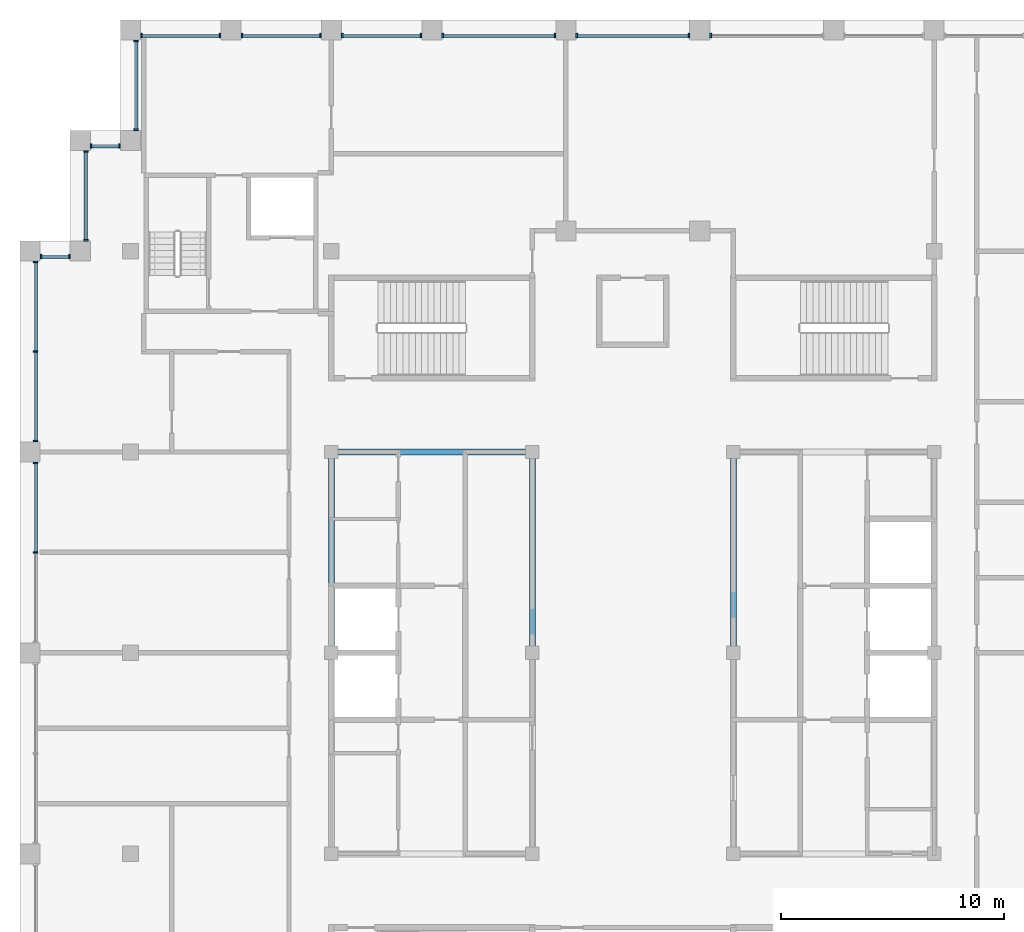
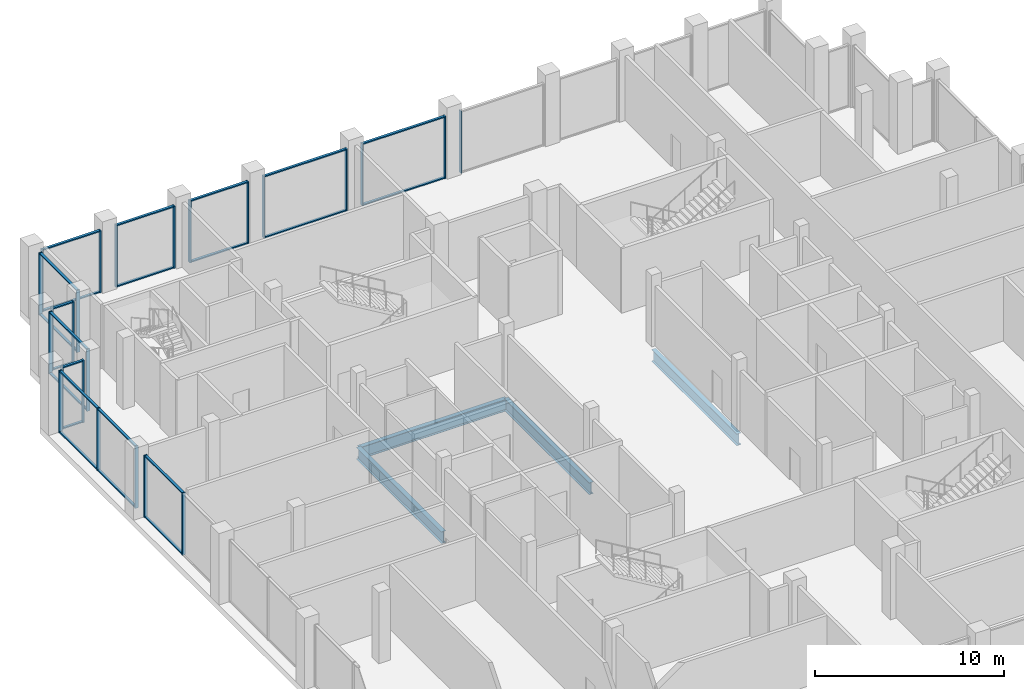
# One storey, part 4 of 12: 48 members, 4 beams, 12 elements without a shape of their own.
"""IFC4 building model written with IfcOpenShell, lengths in metres."""

from ifc_helpers import new_model, si_unit, direction, frame, origin, origin_2d, place, context, subcontext, project, spatial, rectangle, i_section, extrude, material, layer, layer_set, material_profile, profile_set, type_object, element, aggregate, save


model = new_model("IFC4")

# Units and contexts
model_context = context("Model", 3, precision=1e-05, world=origin(), true_north=direction((0.0, 1.0)))
body_context = subcontext(model_context, "Body", "Model", "MODEL_VIEW")
ifc_project = project(units=[si_unit("LENGTHUNIT", "METRE"), si_unit("AREAUNIT", "SQUARE_METRE"), si_unit("VOLUMEUNIT", "CUBIC_METRE"), si_unit("PLANEANGLEUNIT", "RADIAN"), si_unit("MASSUNIT", "GRAM", prefix="KILO")], contexts=[model_context])

# Site, building, storey
site_placement = place(None, origin())
site = spatial("IfcSite", under=ifc_project, at=site_placement, CompositionType="ELEMENT")
building_placement = place(site_placement, origin())
building = spatial("IfcBuilding", under=site, at=building_placement, Name="Corbelhall Arena Tower", CompositionType="ELEMENT")
storey_placement = place(building_placement, frame((0.0, 0.0, 356.0)))
storey = spatial("IfcBuildingStorey", under=building, at=storey_placement, Name="L78", CompositionType="ELEMENT", Elevation=356.0)

# Curtain wall, members
ifc_material_1 = material(Name="Aluminium black anodised", Category="aluminium")
ifc_layer = layer(ifc_material_1, 0.179931640625)
ifc_layer_set = layer_set([ifc_layer], Name="EV-CW3 Crown glazing")
curtain_wall_type = type_object("IfcCurtainWallType", Name="EV-CW3 Crown glazing", PredefinedType="NOTDEFINED", material=ifc_layer_set)
curtain_wall_1_placement = place(storey_placement, origin())
curtain_wall_1 = element("IfcCurtainWall", 1, at=curtain_wall_1_placement, inside=storey, type_object=curtain_wall_type, Name="Curtain wall CW3", PredefinedType="NOTDEFINED")
ifc_material_profile_1 = material_profile(ifc_material_1, rectangle(XDim=0.199951171875, YDim=0.074951171875, at=origin_2d()))
ifc_profile_set_1 = profile_set([ifc_material_profile_1], Name="Aluminium black anodised")
member_type_1 = type_object("IfcMemberType", Name="EV-CW3-MULLION", PredefinedType="MULLION", material=ifc_profile_set_1)
member_1_placement = place(storey_placement, frame((-24.5, 22.46240234375, 0.0), z_axis=(0.0, 0.0, 1.0), x_axis=(1.0, 0.0, 0.0)))
member_1 = element("IfcMember", 2, at=member_1_placement, type_object=member_type_1, Name="CW3 mullion 1", PredefinedType="MULLION", context=body_context, shape_type="SweptSolid", body=[
    extrude(rectangle(XDim=0.199951171875, YDim=0.074951171875, at=origin_2d()), origin(), (0.0, 0.0, 1.0), 3.99951171875),
])
member_2_placement = place(storey_placement, frame((-24.5, 18.487548828125, 0.0), z_axis=(0.0, 0.0, 1.0), x_axis=(1.0, 0.0, 0.0)))
member_2 = element("IfcMember", 3, at=member_2_placement, type_object=member_type_1, Name="CW3 mullion 2", PredefinedType="MULLION", context=body_context, shape_type="SweptSolid", body=[
    extrude(rectangle(XDim=0.199951171875, YDim=0.074951171875, at=origin_2d()), origin(), (0.0, 0.0, 1.0), 3.99951171875),
])

curtain_wall_2_placement = place(storey_placement, origin())
curtain_wall_2 = element("IfcCurtainWall", 4, at=curtain_wall_2_placement, inside=storey, type_object=curtain_wall_type, Name="Curtain wall CW3B", PredefinedType="NOTDEFINED")
member_3_placement = place(storey_placement, frame((-25.237548828125, 17.75, 0.0), z_axis=(0.0, 0.0, 1.0), x_axis=(0.0, -1.0, 0.0)))
member_3 = element("IfcMember", 5, at=member_3_placement, type_object=member_type_1, Name="CW3B mullion 1", PredefinedType="MULLION", context=body_context, shape_type="SweptSolid", body=[
    extrude(rectangle(XDim=0.199951171875, YDim=0.074951171875, at=origin_2d()), origin(), (0.0, 0.0, 1.0), 3.99951171875),
])
member_4_placement = place(storey_placement, frame((-26.512451171875, 17.75, 0.0), z_axis=(0.0, 0.0, 1.0), x_axis=(0.0, -1.0, 0.0)))
member_4 = element("IfcMember", 6, at=member_4_placement, type_object=member_type_1, Name="CW3B mullion 2", PredefinedType="MULLION", context=body_context, shape_type="SweptSolid", body=[
    extrude(rectangle(XDim=0.199951171875, YDim=0.074951171875, at=origin_2d()), origin(), (0.0, 0.0, 1.0), 3.99951171875),
])

curtain_wall_3_placement = place(storey_placement, origin())
curtain_wall_3 = element("IfcCurtainWall", 7, at=curtain_wall_3_placement, inside=storey, type_object=curtain_wall_type, Name="Curtain wall CW3", PredefinedType="NOTDEFINED")
member_5_placement = place(storey_placement, frame((-26.75, 17.512451171875, 0.0), z_axis=(0.0, 0.0, 1.0), x_axis=(1.0, 0.0, 0.0)))
member_5 = element("IfcMember", 8, at=member_5_placement, type_object=member_type_1, Name="CW3 mullion 1", PredefinedType="MULLION", context=body_context, shape_type="SweptSolid", body=[
    extrude(rectangle(XDim=0.199951171875, YDim=0.074951171875, at=origin_2d()), origin(), (0.0, 0.0, 1.0), 3.99951171875),
])
member_6_placement = place(storey_placement, frame((-26.75, 13.5, 0.0), z_axis=(0.0, 0.0, 1.0), x_axis=(1.0, 0.0, 0.0)))
member_6 = element("IfcMember", 9, at=member_6_placement, type_object=member_type_1, Name="CW3 mullion 2", PredefinedType="MULLION", context=body_context, shape_type="SweptSolid", body=[
    extrude(rectangle(XDim=0.199951171875, YDim=0.074951171875, at=origin_2d()), origin(), (0.0, 0.0, 1.0), 3.99951171875),
])
member_7_placement = place(storey_placement, frame((-26.75, 9.487548828125, 0.0), z_axis=(0.0, 0.0, 1.0), x_axis=(1.0, 0.0, 0.0)))
member_7 = element("IfcMember", 10, at=member_7_placement, type_object=member_type_1, Name="CW3 mullion 3", PredefinedType="MULLION", context=body_context, shape_type="SweptSolid", body=[
    extrude(rectangle(XDim=0.199951171875, YDim=0.074951171875, at=origin_2d()), origin(), (0.0, 0.0, 1.0), 3.99951171875),
])

curtain_wall_4_placement = place(storey_placement, origin())
curtain_wall_4 = element("IfcCurtainWall", 11, at=curtain_wall_4_placement, inside=storey, type_object=curtain_wall_type, Name="Curtain wall CW3", PredefinedType="NOTDEFINED")
member_8_placement = place(storey_placement, frame((-26.75, 8.512451171875, 0.0), z_axis=(0.0, 0.0, 1.0), x_axis=(1.0, 0.0, 0.0)))
member_8 = element("IfcMember", 12, at=member_8_placement, type_object=member_type_1, Name="CW3 mullion 1", PredefinedType="MULLION", context=body_context, shape_type="SweptSolid", body=[
    extrude(rectangle(XDim=0.199951171875, YDim=0.074951171875, at=origin_2d()), origin(), (0.0, 0.0, 1.0), 3.99951171875),
])
member_9_placement = place(storey_placement, frame((-26.75, 4.5, 0.0), z_axis=(0.0, 0.0, 1.0), x_axis=(1.0, 0.0, 0.0)))
member_9 = element("IfcMember", 13, at=member_9_placement, type_object=member_type_1, Name="CW3 mullion 2", PredefinedType="MULLION", context=body_context, shape_type="SweptSolid", body=[
    extrude(rectangle(XDim=0.199951171875, YDim=0.074951171875, at=origin_2d()), origin(), (0.0, 0.0, 1.0), 3.99951171875),
])

# Curtain wall, member
curtain_wall_5_placement = place(storey_placement, origin())
curtain_wall_5 = element("IfcCurtainWall", 14, at=curtain_wall_5_placement, inside=storey, type_object=curtain_wall_type, Name="Curtain wall CW3C", PredefinedType="NOTDEFINED")
member_10_placement = place(storey_placement, frame((3.487548828125, 27.64990234375, 0.0), z_axis=(0.0, 0.0, 1.0), x_axis=(0.0, -1.0, 0.0)))
member_10 = element("IfcMember", 15, at=member_10_placement, type_object=member_type_1, Name="CW3C mullion 2", PredefinedType="MULLION", context=body_context, shape_type="SweptSolid", body=[
    extrude(rectangle(XDim=0.199951171875, YDim=0.074951171875, at=origin_2d()), origin(), (0.0, 0.0, 1.0), 3.99951171875),
])
aggregate(curtain_wall_5, [member_10])

# Curtain wall, members
curtain_wall_6_placement = place(storey_placement, origin())
curtain_wall_6 = element("IfcCurtainWall", 16, at=curtain_wall_6_placement, inside=storey, type_object=curtain_wall_type, Name="Curtain wall CW3C", PredefinedType="NOTDEFINED")
member_11_placement = place(storey_placement, frame((2.512451171875, 27.64990234375, 0.0), z_axis=(0.0, 0.0, 1.0), x_axis=(0.0, -1.0, 0.0)))
member_11 = element("IfcMember", 17, at=member_11_placement, type_object=member_type_1, Name="CW3C mullion 1", PredefinedType="MULLION", context=body_context, shape_type="SweptSolid", body=[
    extrude(rectangle(XDim=0.199951171875, YDim=0.074951171875, at=origin_2d()), origin(), (0.0, 0.0, 1.0), 3.99951171875),
])
member_12_placement = place(storey_placement, frame((-2.512451171875, 27.64990234375, 0.0), z_axis=(0.0, 0.0, 1.0), x_axis=(0.0, -1.0, 0.0)))
member_12 = element("IfcMember", 18, at=member_12_placement, type_object=member_type_1, Name="CW3C mullion 2", PredefinedType="MULLION", context=body_context, shape_type="SweptSolid", body=[
    extrude(rectangle(XDim=0.199951171875, YDim=0.074951171875, at=origin_2d()), origin(), (0.0, 0.0, 1.0), 3.99951171875),
])

curtain_wall_7_placement = place(storey_placement, origin())
curtain_wall_7 = element("IfcCurtainWall", 19, at=curtain_wall_7_placement, inside=storey, type_object=curtain_wall_type, Name="Curtain wall CW3C", PredefinedType="NOTDEFINED")
member_13_placement = place(storey_placement, frame((-3.487548828125, 27.64990234375, 0.0), z_axis=(0.0, 0.0, 1.0), x_axis=(0.0, -1.0, 0.0)))
member_13 = element("IfcMember", 20, at=member_13_placement, type_object=member_type_1, Name="CW3C mullion 1", PredefinedType="MULLION", context=body_context, shape_type="SweptSolid", body=[
    extrude(rectangle(XDim=0.199951171875, YDim=0.074951171875, at=origin_2d()), origin(), (0.0, 0.0, 1.0), 3.99951171875),
])
member_14_placement = place(storey_placement, frame((-8.512451171875, 27.64990234375, 0.0), z_axis=(0.0, 0.0, 1.0), x_axis=(0.0, -1.0, 0.0)))
member_14 = element("IfcMember", 21, at=member_14_placement, type_object=member_type_1, Name="CW3C mullion 2", PredefinedType="MULLION", context=body_context, shape_type="SweptSolid", body=[
    extrude(rectangle(XDim=0.199951171875, YDim=0.074951171875, at=origin_2d()), origin(), (0.0, 0.0, 1.0), 3.99951171875),
])

curtain_wall_8_placement = place(storey_placement, origin())
curtain_wall_8 = element("IfcCurtainWall", 22, at=curtain_wall_8_placement, inside=storey, type_object=curtain_wall_type, Name="Curtain wall CW3A", PredefinedType="NOTDEFINED")
member_15_placement = place(storey_placement, frame((-9.487548828125, 27.64990234375, 0.0), z_axis=(0.0, 0.0, 1.0), x_axis=(0.0, -1.0, 0.0)))
member_15 = element("IfcMember", 23, at=member_15_placement, type_object=member_type_1, Name="CW3A mullion 1", PredefinedType="MULLION", context=body_context, shape_type="SweptSolid", body=[
    extrude(rectangle(XDim=0.199951171875, YDim=0.074951171875, at=origin_2d()), origin(), (0.0, 0.0, 1.0), 3.99951171875),
])
member_16_placement = place(storey_placement, frame((-13.012451171875, 27.64990234375, 0.0), z_axis=(0.0, 0.0, 1.0), x_axis=(0.0, -1.0, 0.0)))
member_16 = element("IfcMember", 24, at=member_16_placement, type_object=member_type_1, Name="CW3A mullion 2", PredefinedType="MULLION", context=body_context, shape_type="SweptSolid", body=[
    extrude(rectangle(XDim=0.199951171875, YDim=0.074951171875, at=origin_2d()), origin(), (0.0, 0.0, 1.0), 3.99951171875),
])

curtain_wall_9_placement = place(storey_placement, origin())
curtain_wall_9 = element("IfcCurtainWall", 25, at=curtain_wall_9_placement, inside=storey, type_object=curtain_wall_type, Name="Curtain wall CW3A", PredefinedType="NOTDEFINED")
member_17_placement = place(storey_placement, frame((-13.987548828125, 27.64990234375, 0.0), z_axis=(0.0, 0.0, 1.0), x_axis=(0.0, -1.0, 0.0)))
member_17 = element("IfcMember", 26, at=member_17_placement, type_object=member_type_1, Name="CW3A mullion 1", PredefinedType="MULLION", context=body_context, shape_type="SweptSolid", body=[
    extrude(rectangle(XDim=0.199951171875, YDim=0.074951171875, at=origin_2d()), origin(), (0.0, 0.0, 1.0), 3.99951171875),
])
member_18_placement = place(storey_placement, frame((-17.512451171875, 27.64990234375, 0.0), z_axis=(0.0, 0.0, 1.0), x_axis=(0.0, -1.0, 0.0)))
member_18 = element("IfcMember", 27, at=member_18_placement, type_object=member_type_1, Name="CW3A mullion 2", PredefinedType="MULLION", context=body_context, shape_type="SweptSolid", body=[
    extrude(rectangle(XDim=0.199951171875, YDim=0.074951171875, at=origin_2d()), origin(), (0.0, 0.0, 1.0), 3.99951171875),
])

curtain_wall_10_placement = place(storey_placement, origin())
curtain_wall_10 = element("IfcCurtainWall", 28, at=curtain_wall_10_placement, inside=storey, type_object=curtain_wall_type, Name="Curtain wall CW3A", PredefinedType="NOTDEFINED")
member_19_placement = place(storey_placement, frame((-18.487548828125, 27.64990234375, 0.0), z_axis=(0.0, 0.0, 1.0), x_axis=(0.0, -1.0, 0.0)))
member_19 = element("IfcMember", 29, at=member_19_placement, type_object=member_type_1, Name="CW3A mullion 1", PredefinedType="MULLION", context=body_context, shape_type="SweptSolid", body=[
    extrude(rectangle(XDim=0.199951171875, YDim=0.074951171875, at=origin_2d()), origin(), (0.0, 0.0, 1.0), 3.99951171875),
])
member_20_placement = place(storey_placement, frame((-22.012451171875, 27.64990234375, 0.0), z_axis=(0.0, 0.0, 1.0), x_axis=(0.0, -1.0, 0.0)))
member_20 = element("IfcMember", 30, at=member_20_placement, type_object=member_type_1, Name="CW3A mullion 2", PredefinedType="MULLION", context=body_context, shape_type="SweptSolid", body=[
    extrude(rectangle(XDim=0.199951171875, YDim=0.074951171875, at=origin_2d()), origin(), (0.0, 0.0, 1.0), 3.99951171875),
])

curtain_wall_11_placement = place(storey_placement, origin())
curtain_wall_11 = element("IfcCurtainWall", 31, at=curtain_wall_11_placement, inside=storey, type_object=curtain_wall_type, Name="Curtain wall CW3", PredefinedType="NOTDEFINED")
member_21_placement = place(storey_placement, frame((-22.25, 27.41259765625, 0.0), z_axis=(0.0, 0.0, 1.0), x_axis=(1.0, 0.0, 0.0)))
member_21 = element("IfcMember", 32, at=member_21_placement, type_object=member_type_1, Name="CW3 mullion 1", PredefinedType="MULLION", context=body_context, shape_type="SweptSolid", body=[
    extrude(rectangle(XDim=0.199951171875, YDim=0.074951171875, at=origin_2d()), origin(), (0.0, 0.0, 1.0), 3.99951171875),
])
member_22_placement = place(storey_placement, frame((-22.25, 23.4375, 0.0), z_axis=(0.0, 0.0, 1.0), x_axis=(1.0, 0.0, 0.0)))
member_22 = element("IfcMember", 33, at=member_22_placement, type_object=member_type_1, Name="CW3 mullion 2", PredefinedType="MULLION", context=body_context, shape_type="SweptSolid", body=[
    extrude(rectangle(XDim=0.199951171875, YDim=0.074951171875, at=origin_2d()), origin(), (0.0, 0.0, 1.0), 3.99951171875),
])

curtain_wall_12_placement = place(storey_placement, origin())
curtain_wall_12 = element("IfcCurtainWall", 34, at=curtain_wall_12_placement, inside=storey, type_object=curtain_wall_type, Name="Curtain wall CW3B", PredefinedType="NOTDEFINED")
member_23_placement = place(storey_placement, frame((-22.987548828125, 22.699951171875, 0.0), z_axis=(0.0, 0.0, 1.0), x_axis=(0.0, -1.0, 0.0)))
member_23 = element("IfcMember", 35, at=member_23_placement, type_object=member_type_1, Name="CW3B mullion 1", PredefinedType="MULLION", context=body_context, shape_type="SweptSolid", body=[
    extrude(rectangle(XDim=0.199951171875, YDim=0.074951171875, at=origin_2d()), origin(), (0.0, 0.0, 1.0), 3.99951171875),
])
member_24_placement = place(storey_placement, frame((-24.262451171875, 22.699951171875, 0.0), z_axis=(0.0, 0.0, 1.0), x_axis=(0.0, -1.0, 0.0)))
member_24 = element("IfcMember", 36, at=member_24_placement, type_object=member_type_1, Name="CW3B mullion 2", PredefinedType="MULLION", context=body_context, shape_type="SweptSolid", body=[
    extrude(rectangle(XDim=0.199951171875, YDim=0.074951171875, at=origin_2d()), origin(), (0.0, 0.0, 1.0), 3.99951171875),
])

# Member
ifc_material_profile_2 = material_profile(ifc_material_1, rectangle(XDim=0.14990234375, YDim=0.074951171875, at=origin_2d()))
ifc_profile_set_2 = profile_set([ifc_material_profile_2], Name="Aluminium black anodised")
member_type_2 = type_object("IfcMemberType", Name="EV-CW3-TRANSOM", PredefinedType="USERDEFINED", material=ifc_profile_set_2)
member_25_placement = place(storey_placement, frame((-24.5, 22.425048828125, 0.03759765625), z_axis=(0.0, -1.0, 0.0), x_axis=(1.0, 0.0, 0.0)))
member_25 = element("IfcMember", 37, at=member_25_placement, type_object=member_type_2, Name="CW3 transom 1.1", ObjectType="transom", PredefinedType="USERDEFINED", context=body_context, shape_type="SweptSolid", body=[
    extrude(rectangle(XDim=0.14990234375, YDim=0.074951171875, at=origin_2d()), origin(), (0.0, 0.0, 1.0), 3.900146484375),
])

member_26_placement = place(storey_placement, frame((-24.5, 22.425048828125, 3.962158203125), z_axis=(0.0, -1.0, 0.0), x_axis=(1.0, 0.0, 0.0)))
member_26 = element("IfcMember", 38, at=member_26_placement, type_object=member_type_2, Name="CW3 transom 1.2", ObjectType="transom", PredefinedType="USERDEFINED", context=body_context, shape_type="SweptSolid", body=[
    extrude(rectangle(XDim=0.14990234375, YDim=0.074951171875, at=origin_2d()), origin(), (0.0, 0.0, 1.0), 3.900146484375),
])

aggregate(curtain_wall_1, [member_1, member_2, member_25, member_26])

member_27_placement = place(storey_placement, frame((-25.27490234375, 17.75, 0.03759765625), z_axis=(-1.0, 0.0, 0.0), x_axis=(0.0, -1.0, 0.0)))
member_27 = element("IfcMember", 39, at=member_27_placement, type_object=member_type_2, Name="CW3B transom 1.1", ObjectType="transom", PredefinedType="USERDEFINED", context=body_context, shape_type="SweptSolid", body=[
    extrude(rectangle(XDim=0.14990234375, YDim=0.074951171875, at=origin_2d()), origin(), (0.0, 0.0, 1.0), 1.2001953125),
])

member_28_placement = place(storey_placement, frame((-25.27490234375, 17.75, 3.962158203125), z_axis=(-1.0, 0.0, 0.0), x_axis=(0.0, -1.0, 0.0)))
member_28 = element("IfcMember", 40, at=member_28_placement, type_object=member_type_2, Name="CW3B transom 1.2", ObjectType="transom", PredefinedType="USERDEFINED", context=body_context, shape_type="SweptSolid", body=[
    extrude(rectangle(XDim=0.14990234375, YDim=0.074951171875, at=origin_2d()), origin(), (0.0, 0.0, 1.0), 1.2001953125),
])

aggregate(curtain_wall_2, [member_3, member_4, member_27, member_28])

member_29_placement = place(storey_placement, frame((-26.75, 17.47509765625, 0.03759765625), z_axis=(0.0, -1.0, 0.0), x_axis=(1.0, 0.0, 0.0)))
member_29 = element("IfcMember", 41, at=member_29_placement, type_object=member_type_2, Name="CW3 transom 1.1", ObjectType="transom", PredefinedType="USERDEFINED", context=body_context, shape_type="SweptSolid", body=[
    extrude(rectangle(XDim=0.14990234375, YDim=0.074951171875, at=origin_2d()), origin(), (0.0, 0.0, 1.0), 3.9375),
])

member_30_placement = place(storey_placement, frame((-26.75, 17.47509765625, 3.962158203125), z_axis=(0.0, -1.0, 0.0), x_axis=(1.0, 0.0, 0.0)))
member_30 = element("IfcMember", 42, at=member_30_placement, type_object=member_type_2, Name="CW3 transom 1.2", ObjectType="transom", PredefinedType="USERDEFINED", context=body_context, shape_type="SweptSolid", body=[
    extrude(rectangle(XDim=0.14990234375, YDim=0.074951171875, at=origin_2d()), origin(), (0.0, 0.0, 1.0), 3.9375),
])

member_31_placement = place(storey_placement, frame((-26.75, 13.46240234375, 0.03759765625), z_axis=(0.0, -1.0, 0.0), x_axis=(1.0, 0.0, 0.0)))
member_31 = element("IfcMember", 43, at=member_31_placement, type_object=member_type_2, Name="CW3 transom 2.1", ObjectType="transom", PredefinedType="USERDEFINED", context=body_context, shape_type="SweptSolid", body=[
    extrude(rectangle(XDim=0.14990234375, YDim=0.074951171875, at=origin_2d()), origin(), (0.0, 0.0, 1.0), 3.9375),
])

member_32_placement = place(storey_placement, frame((-26.75, 13.46240234375, 3.962158203125), z_axis=(0.0, -1.0, 0.0), x_axis=(1.0, 0.0, 0.0)))
member_32 = element("IfcMember", 44, at=member_32_placement, type_object=member_type_2, Name="CW3 transom 2.2", ObjectType="transom", PredefinedType="USERDEFINED", context=body_context, shape_type="SweptSolid", body=[
    extrude(rectangle(XDim=0.14990234375, YDim=0.074951171875, at=origin_2d()), origin(), (0.0, 0.0, 1.0), 3.9375),
])

aggregate(curtain_wall_3, [member_5, member_6, member_7, member_29, member_30, member_31, member_32])

member_33_placement = place(storey_placement, frame((-26.75, 8.47509765625, 0.03759765625), z_axis=(0.0, -1.0, 0.0), x_axis=(1.0, 0.0, 0.0)))
member_33 = element("IfcMember", 45, at=member_33_placement, type_object=member_type_2, Name="CW3 transom 1.1", ObjectType="transom", PredefinedType="USERDEFINED", context=body_context, shape_type="SweptSolid", body=[
    extrude(rectangle(XDim=0.14990234375, YDim=0.074951171875, at=origin_2d()), origin(), (0.0, 0.0, 1.0), 3.9375),
])

member_34_placement = place(storey_placement, frame((-26.75, 8.47509765625, 3.962158203125), z_axis=(0.0, -1.0, 0.0), x_axis=(1.0, 0.0, 0.0)))
member_34 = element("IfcMember", 46, at=member_34_placement, type_object=member_type_2, Name="CW3 transom 1.2", ObjectType="transom", PredefinedType="USERDEFINED", context=body_context, shape_type="SweptSolid", body=[
    extrude(rectangle(XDim=0.14990234375, YDim=0.074951171875, at=origin_2d()), origin(), (0.0, 0.0, 1.0), 3.9375),
])

aggregate(curtain_wall_4, [member_8, member_9, member_33, member_34])

member_35_placement = place(storey_placement, frame((2.47509765625, 27.64990234375, 0.03759765625), z_axis=(-1.0, 0.0, 0.0), x_axis=(0.0, -1.0, 0.0)))
member_35 = element("IfcMember", 47, at=member_35_placement, type_object=member_type_2, Name="CW3C transom 1.1", ObjectType="transom", PredefinedType="USERDEFINED", context=body_context, shape_type="SweptSolid", body=[
    extrude(rectangle(XDim=0.14990234375, YDim=0.074951171875, at=origin_2d()), origin(), (0.0, 0.0, 1.0), 4.9501953125),
])

member_36_placement = place(storey_placement, frame((2.47509765625, 27.64990234375, 3.962158203125), z_axis=(-1.0, 0.0, 0.0), x_axis=(0.0, -1.0, 0.0)))
member_36 = element("IfcMember", 48, at=member_36_placement, type_object=member_type_2, Name="CW3C transom 1.2", ObjectType="transom", PredefinedType="USERDEFINED", context=body_context, shape_type="SweptSolid", body=[
    extrude(rectangle(XDim=0.14990234375, YDim=0.074951171875, at=origin_2d()), origin(), (0.0, 0.0, 1.0), 4.9501953125),
])

aggregate(curtain_wall_6, [member_11, member_12, member_35, member_36])

member_37_placement = place(storey_placement, frame((-3.52490234375, 27.64990234375, 0.03759765625), z_axis=(-1.0, 0.0, 0.0), x_axis=(0.0, -1.0, 0.0)))
member_37 = element("IfcMember", 49, at=member_37_placement, type_object=member_type_2, Name="CW3C transom 1.1", ObjectType="transom", PredefinedType="USERDEFINED", context=body_context, shape_type="SweptSolid", body=[
    extrude(rectangle(XDim=0.14990234375, YDim=0.074951171875, at=origin_2d()), origin(), (0.0, 0.0, 1.0), 4.9501953125),
])

member_38_placement = place(storey_placement, frame((-3.52490234375, 27.64990234375, 3.962158203125), z_axis=(-1.0, 0.0, 0.0), x_axis=(0.0, -1.0, 0.0)))
member_38 = element("IfcMember", 50, at=member_38_placement, type_object=member_type_2, Name="CW3C transom 1.2", ObjectType="transom", PredefinedType="USERDEFINED", context=body_context, shape_type="SweptSolid", body=[
    extrude(rectangle(XDim=0.14990234375, YDim=0.074951171875, at=origin_2d()), origin(), (0.0, 0.0, 1.0), 4.9501953125),
])

aggregate(curtain_wall_7, [member_13, member_14, member_37, member_38])

member_39_placement = place(storey_placement, frame((-9.52490234375, 27.64990234375, 0.03759765625), z_axis=(-1.0, 0.0, 0.0), x_axis=(0.0, -1.0, 0.0)))
member_39 = element("IfcMember", 51, at=member_39_placement, type_object=member_type_2, Name="CW3A transom 1.1", ObjectType="transom", PredefinedType="USERDEFINED", context=body_context, shape_type="SweptSolid", body=[
    extrude(rectangle(XDim=0.14990234375, YDim=0.074951171875, at=origin_2d()), origin(), (0.0, 0.0, 1.0), 3.4501953125),
])

member_40_placement = place(storey_placement, frame((-9.52490234375, 27.64990234375, 3.962158203125), z_axis=(-1.0, 0.0, 0.0), x_axis=(0.0, -1.0, 0.0)))
member_40 = element("IfcMember", 52, at=member_40_placement, type_object=member_type_2, Name="CW3A transom 1.2", ObjectType="transom", PredefinedType="USERDEFINED", context=body_context, shape_type="SweptSolid", body=[
    extrude(rectangle(XDim=0.14990234375, YDim=0.074951171875, at=origin_2d()), origin(), (0.0, 0.0, 1.0), 3.4501953125),
])

aggregate(curtain_wall_8, [member_15, member_16, member_39, member_40])

member_41_placement = place(storey_placement, frame((-14.02490234375, 27.64990234375, 0.03759765625), z_axis=(-1.0, 0.0, 0.0), x_axis=(0.0, -1.0, 0.0)))
member_41 = element("IfcMember", 53, at=member_41_placement, type_object=member_type_2, Name="CW3A transom 1.1", ObjectType="transom", PredefinedType="USERDEFINED", context=body_context, shape_type="SweptSolid", body=[
    extrude(rectangle(XDim=0.14990234375, YDim=0.074951171875, at=origin_2d()), origin(), (0.0, 0.0, 1.0), 3.4501953125),
])

member_42_placement = place(storey_placement, frame((-14.02490234375, 27.64990234375, 3.962158203125), z_axis=(-1.0, 0.0, 0.0), x_axis=(0.0, -1.0, 0.0)))
member_42 = element("IfcMember", 54, at=member_42_placement, type_object=member_type_2, Name="CW3A transom 1.2", ObjectType="transom", PredefinedType="USERDEFINED", context=body_context, shape_type="SweptSolid", body=[
    extrude(rectangle(XDim=0.14990234375, YDim=0.074951171875, at=origin_2d()), origin(), (0.0, 0.0, 1.0), 3.4501953125),
])

aggregate(curtain_wall_9, [member_17, member_18, member_41, member_42])

member_43_placement = place(storey_placement, frame((-18.52490234375, 27.64990234375, 0.03759765625), z_axis=(-1.0, 0.0, 0.0), x_axis=(0.0, -1.0, 0.0)))
member_43 = element("IfcMember", 55, at=member_43_placement, type_object=member_type_2, Name="CW3A transom 1.1", ObjectType="transom", PredefinedType="USERDEFINED", context=body_context, shape_type="SweptSolid", body=[
    extrude(rectangle(XDim=0.14990234375, YDim=0.074951171875, at=origin_2d()), origin(), (0.0, 0.0, 1.0), 3.4501953125),
])

member_44_placement = place(storey_placement, frame((-18.52490234375, 27.64990234375, 3.962158203125), z_axis=(-1.0, 0.0, 0.0), x_axis=(0.0, -1.0, 0.0)))
member_44 = element("IfcMember", 56, at=member_44_placement, type_object=member_type_2, Name="CW3A transom 1.2", ObjectType="transom", PredefinedType="USERDEFINED", context=body_context, shape_type="SweptSolid", body=[
    extrude(rectangle(XDim=0.14990234375, YDim=0.074951171875, at=origin_2d()), origin(), (0.0, 0.0, 1.0), 3.4501953125),
])

aggregate(curtain_wall_10, [member_19, member_20, member_43, member_44])

member_45_placement = place(storey_placement, frame((-22.25, 27.375, 0.03759765625), z_axis=(0.0, -1.0, 0.0), x_axis=(1.0, 0.0, 0.0)))
member_45 = element("IfcMember", 57, at=member_45_placement, type_object=member_type_2, Name="CW3 transom 1.1", ObjectType="transom", PredefinedType="USERDEFINED", context=body_context, shape_type="SweptSolid", body=[
    extrude(rectangle(XDim=0.14990234375, YDim=0.074951171875, at=origin_2d()), origin(), (0.0, 0.0, 1.0), 3.89990234375),
])

member_46_placement = place(storey_placement, frame((-22.25, 27.375, 3.962158203125), z_axis=(0.0, -1.0, 0.0), x_axis=(1.0, 0.0, 0.0)))
member_46 = element("IfcMember", 58, at=member_46_placement, type_object=member_type_2, Name="CW3 transom 1.2", ObjectType="transom", PredefinedType="USERDEFINED", context=body_context, shape_type="SweptSolid", body=[
    extrude(rectangle(XDim=0.14990234375, YDim=0.074951171875, at=origin_2d()), origin(), (0.0, 0.0, 1.0), 3.89990234375),
])

aggregate(curtain_wall_11, [member_21, member_22, member_45, member_46])

member_47_placement = place(storey_placement, frame((-23.02490234375, 22.699951171875, 0.03759765625), z_axis=(-1.0, 0.0, 0.0), x_axis=(0.0, -1.0, 0.0)))
member_47 = element("IfcMember", 59, at=member_47_placement, type_object=member_type_2, Name="CW3B transom 1.1", ObjectType="transom", PredefinedType="USERDEFINED", context=body_context, shape_type="SweptSolid", body=[
    extrude(rectangle(XDim=0.14990234375, YDim=0.074951171875, at=origin_2d()), origin(), (0.0, 0.0, 1.0), 1.2001953125),
])

member_48_placement = place(storey_placement, frame((-23.02490234375, 22.699951171875, 3.962158203125), z_axis=(-1.0, 0.0, 0.0), x_axis=(0.0, -1.0, 0.0)))
member_48 = element("IfcMember", 60, at=member_48_placement, type_object=member_type_2, Name="CW3B transom 1.2", ObjectType="transom", PredefinedType="USERDEFINED", context=body_context, shape_type="SweptSolid", body=[
    extrude(rectangle(XDim=0.14990234375, YDim=0.074951171875, at=origin_2d()), origin(), (0.0, 0.0, 1.0), 1.2001953125),
])

aggregate(curtain_wall_12, [member_23, member_24, member_47, member_48])

# Beams
ifc_material_2 = material(Name="Steel ASTM A992 Gr50", Category="steel")
ifc_material_profile_3 = material_profile(ifc_material_2, i_section(OverallWidth=0.2666015625, OverallDepth=0.761962890625, WebThickness=0.014404296875, FlangeThickness=0.021484375, at=origin_2d()))
ifc_profile_set_3 = profile_set([ifc_material_profile_3], Name="Steel ASTM A992 Gr50")
beam_type = type_object("IfcBeamType", Name="ST-BEAM-W30x116", PredefinedType="BEAM", material=ifc_profile_set_3)
for number, where, z_axis, x_axis, name in (
    (61, (-13.5, 0.0, -0.781494140625), (0.0, 1.0, 0.0), (-1.0, 0.0, 0.0), "Beam CEW 2"),
    (62, (-4.5, 0.0, -0.781494140625), (0.0, 1.0, 0.0), (-1.0, 0.0, 0.0), "Beam CEW 4"),
    (63, (-13.5, 9.0, -0.781494140625), (1.0, 0.0, 0.0), (0.0, 1.0, 0.0), "Beam CEW 6"),
    (64, (4.5, 0.0, -0.781494140625), (0.0, 1.0, 0.0), (-1.0, 0.0, 0.0), "Beam CEE 8"),
):
    element("IfcBeam", number, at=place(storey_placement, frame(where, z_axis=z_axis, x_axis=x_axis)), inside=storey, type_object=beam_type, Name=name, PredefinedType="BEAM", context=body_context, shape_type="SweptSolid", body=[
        extrude(i_section(OverallWidth=0.2666015625, OverallDepth=0.761962890625, WebThickness=0.014404296875, FlangeThickness=0.021484375, at=origin_2d()), origin(), (0.0, 0.0, 1.0), 9.0),
    ])

save(model, "model.ifc")
